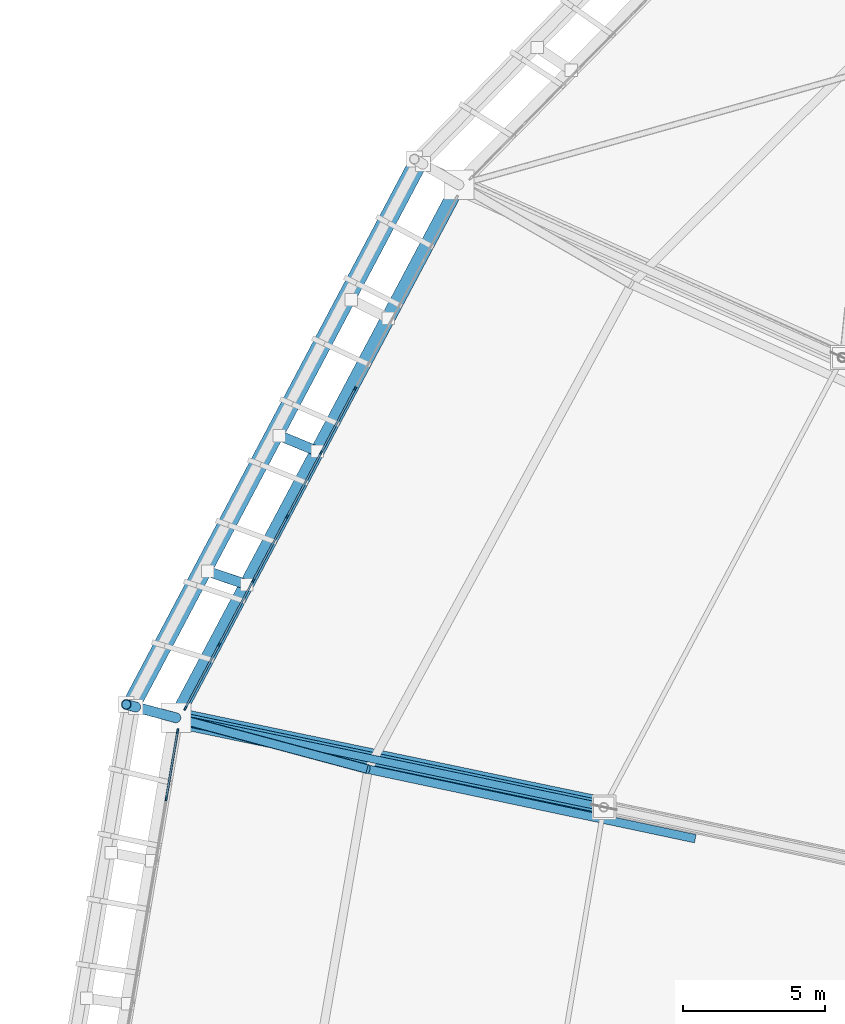
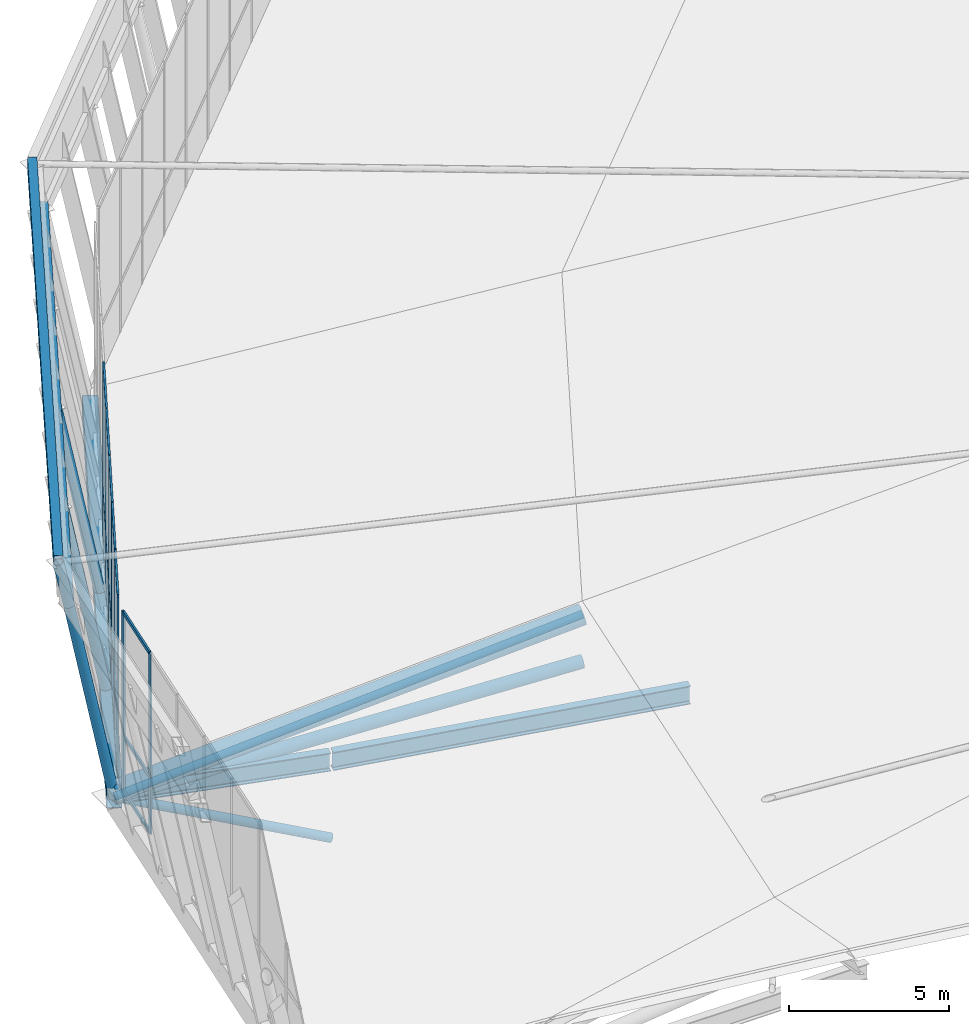
# One storey, part 26 of 115: 34 members, 5 beams, 2 elements without a shape of their own.
"""IFC4 building model written with IfcOpenShell, lengths in metres."""

from ifc_helpers import new_model, si_unit, direction, frame, origin, origin_2d, place, context, subcontext, project, spatial, rectangle, hollow_rectangle, hollow_circle, i_section, extrude, material, material_profile, profile_set, type_object, element, aggregate, save


model = new_model("IFC4")

# Units and contexts
model_context = context("Model", 3, precision=1e-05, world=origin(), true_north=direction((0.0, 1.0)))
body_context = subcontext(model_context, "Body", "Model", "MODEL_VIEW")
ifc_project = project(units=[si_unit("LENGTHUNIT", "METRE"), si_unit("AREAUNIT", "SQUARE_METRE"), si_unit("VOLUMEUNIT", "CUBIC_METRE"), si_unit("PLANEANGLEUNIT", "RADIAN"), si_unit("MASSUNIT", "GRAM", prefix="KILO")], contexts=[model_context])

# Site, building, storey
site_placement = place(None, origin())
site = spatial("IfcSite", under=ifc_project, at=site_placement, CompositionType="ELEMENT")
building_placement = place(site_placement, origin())
building = spatial("IfcBuilding", under=site, at=building_placement, Name="Zlatoyarsky Gate Stadium", CompositionType="ELEMENT")
storey_placement = place(building_placement, frame((0.0, 0.0, 31.800048828125)))
storey = spatial("IfcBuildingStorey", under=building, at=storey_placement, Name="RF", CompositionType="ELEMENT", Elevation=31.800048828125)

# Curtain wall, members
ifc_material_1 = material(Name="Thermally broken anodised aluminium curtain wall", Category="aluminium")
curtain_wall_type = type_object("IfcCurtainWallType", Name="UNITISED SKYBOX RING GLAZING L05", PredefinedType="USERDEFINED", material=ifc_material_1)
curtain_wall_1_placement = place(storey_placement, origin())
curtain_wall_1 = element("IfcCurtainWall", 1, at=curtain_wall_1_placement, inside=storey, type_object=curtain_wall_type, Name="Curtain wall CW-RF-10", ObjectType="UNITISED GLAZING", PredefinedType="USERDEFINED")
ifc_material_2 = material(Name="Anodised aluminium 6063-T6", Category="aluminium")
ifc_material_profile_1 = material_profile(ifc_material_2, rectangle(XDim=0.06494140625, YDim=0.159912109375, at=origin_2d()), Name="ALU 65X160")
ifc_profile_set_1 = profile_set([ifc_material_profile_1], Name="Anodised aluminium 6063-T6")
member_type_1 = type_object("IfcMemberType", Name="ALUMINIUM MULLION 65X160", PredefinedType="MULLION", material=ifc_profile_set_1)
member_1_placement = place(storey_placement, frame((20.705810546875, 111.81103515625, 0.0), z_axis=(0.0, 0.0, 1.0), x_axis=(0.883130898599, -0.469126652345, 0.0)))
member_1 = element("IfcMember", 2, at=member_1_placement, type_object=member_type_1, Name="CW-UG5 mullion 4", PredefinedType="MULLION", context=body_context, shape_type="SweptSolid", body=[
    extrude(rectangle(XDim=0.06494140625, YDim=0.159912109375, at=origin_2d()), origin(), (0.0, 0.0, 1.0), 6.89990234375),
])
member_2_placement = place(storey_placement, frame((19.50537109375, 109.55126953125, 0.0), z_axis=(0.0, 0.0, 1.0), x_axis=(0.883130898599, -0.469126652345, 0.0)))
member_2 = element("IfcMember", 3, at=member_2_placement, type_object=member_type_1, Name="CW-UG5 mullion 5", PredefinedType="MULLION", context=body_context, shape_type="SweptSolid", body=[
    extrude(rectangle(XDim=0.06494140625, YDim=0.159912109375, at=origin_2d()), origin(), (0.0, 0.0, 1.0), 6.89990234375),
])
member_3_placement = place(storey_placement, frame((18.304931640625, 107.29150390625, 0.0), z_axis=(0.0, 0.0, 1.0), x_axis=(0.883130898599, -0.469126652345, 0.0)))
member_3 = element("IfcMember", 4, at=member_3_placement, type_object=member_type_1, Name="CW-UG5 mullion 6", PredefinedType="MULLION", context=body_context, shape_type="SweptSolid", body=[
    extrude(rectangle(XDim=0.06494140625, YDim=0.159912109375, at=origin_2d()), origin(), (0.0, 0.0, 1.0), 6.89990234375),
])
member_4_placement = place(storey_placement, frame((17.1044921875, 105.03173828125, 0.0), z_axis=(0.0, 0.0, 1.0), x_axis=(0.883130898599, -0.469126652345, 0.0)))
member_4 = element("IfcMember", 5, at=member_4_placement, type_object=member_type_1, Name="CW-UG5 mullion 7", PredefinedType="MULLION", context=body_context, shape_type="SweptSolid", body=[
    extrude(rectangle(XDim=0.06494140625, YDim=0.159912109375, at=origin_2d()), origin(), (0.0, 0.0, 1.0), 6.89990234375),
])
member_5_placement = place(storey_placement, frame((15.904052734375, 102.77197265625, 0.0), z_axis=(0.0, 0.0, 1.0), x_axis=(0.883130898599, -0.469126652345, 0.0)))
member_5 = element("IfcMember", 6, at=member_5_placement, type_object=member_type_1, Name="CW-UG5 mullion 8", PredefinedType="MULLION", context=body_context, shape_type="SweptSolid", body=[
    extrude(rectangle(XDim=0.06494140625, YDim=0.159912109375, at=origin_2d()), origin(), (0.0, 0.0, 1.0), 6.89990234375),
])
member_6_placement = place(storey_placement, frame((14.718994140625, 100.540771484375, 0.0), z_axis=(0.0, 0.0, 1.0), x_axis=(0.883130898599, -0.469126652345, 0.0)))
member_6 = element("IfcMember", 7, at=member_6_placement, type_object=member_type_1, Name="CW-UG5 mullion 9", PredefinedType="MULLION", context=body_context, shape_type="SweptSolid", body=[
    extrude(rectangle(XDim=0.06494140625, YDim=0.159912109375, at=origin_2d()), origin(), (0.0, 0.0, 1.0), 6.89990234375),
])

curtain_wall_2_placement = place(storey_placement, origin())
curtain_wall_2 = element("IfcCurtainWall", 8, at=curtain_wall_2_placement, inside=storey, type_object=curtain_wall_type, Name="Curtain wall CW-RF-11", ObjectType="UNITISED GLAZING", PredefinedType="USERDEFINED")
member_7_placement = place(storey_placement, frame((14.444091796875, 99.732421875, 0.0), z_axis=(0.0, 0.0, 1.0), x_axis=(0.986044463486, -0.166482179311, 0.0)))
member_7 = element("IfcMember", 9, at=member_7_placement, type_object=member_type_1, Name="CW-UG5 mullion 1", PredefinedType="MULLION", context=body_context, shape_type="SweptSolid", body=[
    extrude(rectangle(XDim=0.06494140625, YDim=0.159912109375, at=origin_2d()), origin(), (0.0, 0.0, 1.0), 6.89990234375),
])
member_8_placement = place(storey_placement, frame((14.04052734375, 97.34326171875, 0.0), z_axis=(0.0, 0.0, 1.0), x_axis=(0.986044463486, -0.166482179311, 0.0)))
member_8 = element("IfcMember", 10, at=member_8_placement, type_object=member_type_1, Name="CW-UG5 mullion 2", PredefinedType="MULLION", context=body_context, shape_type="SweptSolid", body=[
    extrude(rectangle(XDim=0.06494140625, YDim=0.159912109375, at=origin_2d()), origin(), (0.0, 0.0, 1.0), 6.89990234375),
])

# Member
ifc_material_profile_2 = material_profile(ifc_material_2, rectangle(XDim=0.06494140625, YDim=0.139892578125, at=origin_2d()), Name="ALU 65X140")
ifc_profile_set_2 = profile_set([ifc_material_profile_2], Name="Anodised aluminium 6063-T6")
member_type_2 = type_object("IfcMemberType", Name="ALUMINIUM TRANSOM 65X140", PredefinedType="USERDEFINED", material=ifc_profile_set_2)
member_9_placement = place(storey_placement, frame((20.690673828125, 111.782470703125, 0.032470703125), z_axis=(-0.469124208683, -0.883132196688, 0.0), x_axis=(0.883132196688, -0.469124208683, 0.0)))
member_9 = element("IfcMember", 11, at=member_9_placement, type_object=member_type_2, Name="CW-UG5 transom 4.1", ObjectType="TRANSOM", PredefinedType="USERDEFINED", context=body_context, shape_type="SweptSolid", body=[
    extrude(rectangle(XDim=0.06494140625, YDim=0.139892578125, at=origin_2d()), origin(), (0.0, 0.0, 1.0), 2.493896484375),
])

member_10_placement = place(storey_placement, frame((20.690673828125, 111.782470703125, 2.14990234375), z_axis=(-0.469124208683, -0.883132196688, 0.0), x_axis=(0.883132196688, -0.469124208683, 0.0)))
member_10 = element("IfcMember", 12, at=member_10_placement, type_object=member_type_2, Name="CW-UG5 transom 4.2", ObjectType="TRANSOM", PredefinedType="USERDEFINED", context=body_context, shape_type="SweptSolid", body=[
    extrude(rectangle(XDim=0.06494140625, YDim=0.139892578125, at=origin_2d()), origin(), (0.0, 0.0, 1.0), 2.493896484375),
])

member_11_placement = place(storey_placement, frame((20.690673828125, 111.782470703125, 6.867431640625), z_axis=(-0.469124208683, -0.883132196688, 0.0), x_axis=(0.883132196688, -0.469124208683, 0.0)))
member_11 = element("IfcMember", 13, at=member_11_placement, type_object=member_type_2, Name="CW-UG5 transom 4.3", ObjectType="TRANSOM", PredefinedType="USERDEFINED", context=body_context, shape_type="SweptSolid", body=[
    extrude(rectangle(XDim=0.06494140625, YDim=0.139892578125, at=origin_2d()), origin(), (0.0, 0.0, 1.0), 2.493896484375),
])

member_12_placement = place(storey_placement, frame((19.490234375, 109.522705078125, 0.032470703125), z_axis=(-0.469124208683, -0.883132196688, 0.0), x_axis=(0.883132196688, -0.469124208683, 0.0)))
member_12 = element("IfcMember", 14, at=member_12_placement, type_object=member_type_2, Name="CW-UG5 transom 5.1", ObjectType="TRANSOM", PredefinedType="USERDEFINED", context=body_context, shape_type="SweptSolid", body=[
    extrude(rectangle(XDim=0.06494140625, YDim=0.139892578125, at=origin_2d()), origin(), (0.0, 0.0, 1.0), 2.493896484375),
])

member_13_placement = place(storey_placement, frame((19.490234375, 109.522705078125, 2.14990234375), z_axis=(-0.469124208683, -0.883132196688, 0.0), x_axis=(0.883132196688, -0.469124208683, 0.0)))
member_13 = element("IfcMember", 15, at=member_13_placement, type_object=member_type_2, Name="CW-UG5 transom 5.2", ObjectType="TRANSOM", PredefinedType="USERDEFINED", context=body_context, shape_type="SweptSolid", body=[
    extrude(rectangle(XDim=0.06494140625, YDim=0.139892578125, at=origin_2d()), origin(), (0.0, 0.0, 1.0), 2.493896484375),
])

member_14_placement = place(storey_placement, frame((19.490234375, 109.522705078125, 6.867431640625), z_axis=(-0.469124208683, -0.883132196688, 0.0), x_axis=(0.883132196688, -0.469124208683, 0.0)))
member_14 = element("IfcMember", 16, at=member_14_placement, type_object=member_type_2, Name="CW-UG5 transom 5.3", ObjectType="TRANSOM", PredefinedType="USERDEFINED", context=body_context, shape_type="SweptSolid", body=[
    extrude(rectangle(XDim=0.06494140625, YDim=0.139892578125, at=origin_2d()), origin(), (0.0, 0.0, 1.0), 2.493896484375),
])

member_15_placement = place(storey_placement, frame((18.289794921875, 107.2626953125, 0.032470703125), z_axis=(-0.469124208683, -0.883132196688, 0.0), x_axis=(0.883132196688, -0.469124208683, 0.0)))
member_15 = element("IfcMember", 17, at=member_15_placement, type_object=member_type_2, Name="CW-UG5 transom 6.1", ObjectType="TRANSOM", PredefinedType="USERDEFINED", context=body_context, shape_type="SweptSolid", body=[
    extrude(rectangle(XDim=0.06494140625, YDim=0.139892578125, at=origin_2d()), origin(), (0.0, 0.0, 1.0), 2.493896484375),
])

member_16_placement = place(storey_placement, frame((18.289794921875, 107.2626953125, 2.14990234375), z_axis=(-0.469124208683, -0.883132196688, 0.0), x_axis=(0.883132196688, -0.469124208683, 0.0)))
member_16 = element("IfcMember", 18, at=member_16_placement, type_object=member_type_2, Name="CW-UG5 transom 6.2", ObjectType="TRANSOM", PredefinedType="USERDEFINED", context=body_context, shape_type="SweptSolid", body=[
    extrude(rectangle(XDim=0.06494140625, YDim=0.139892578125, at=origin_2d()), origin(), (0.0, 0.0, 1.0), 2.493896484375),
])

member_17_placement = place(storey_placement, frame((18.289794921875, 107.2626953125, 6.867431640625), z_axis=(-0.469124208683, -0.883132196688, 0.0), x_axis=(0.883132196688, -0.469124208683, 0.0)))
member_17 = element("IfcMember", 19, at=member_17_placement, type_object=member_type_2, Name="CW-UG5 transom 6.3", ObjectType="TRANSOM", PredefinedType="USERDEFINED", context=body_context, shape_type="SweptSolid", body=[
    extrude(rectangle(XDim=0.06494140625, YDim=0.139892578125, at=origin_2d()), origin(), (0.0, 0.0, 1.0), 2.493896484375),
])

member_18_placement = place(storey_placement, frame((17.08935546875, 105.0029296875, 0.032470703125), z_axis=(-0.469124208683, -0.883132196688, 0.0), x_axis=(0.883132196688, -0.469124208683, 0.0)))
member_18 = element("IfcMember", 20, at=member_18_placement, type_object=member_type_2, Name="CW-UG5 transom 7.1", ObjectType="TRANSOM", PredefinedType="USERDEFINED", context=body_context, shape_type="SweptSolid", body=[
    extrude(rectangle(XDim=0.06494140625, YDim=0.139892578125, at=origin_2d()), origin(), (0.0, 0.0, 1.0), 2.493896484375),
])

member_19_placement = place(storey_placement, frame((17.08935546875, 105.0029296875, 2.14990234375), z_axis=(-0.469124208683, -0.883132196688, 0.0), x_axis=(0.883132196688, -0.469124208683, 0.0)))
member_19 = element("IfcMember", 21, at=member_19_placement, type_object=member_type_2, Name="CW-UG5 transom 7.2", ObjectType="TRANSOM", PredefinedType="USERDEFINED", context=body_context, shape_type="SweptSolid", body=[
    extrude(rectangle(XDim=0.06494140625, YDim=0.139892578125, at=origin_2d()), origin(), (0.0, 0.0, 1.0), 2.493896484375),
])

member_20_placement = place(storey_placement, frame((17.08935546875, 105.0029296875, 6.867431640625), z_axis=(-0.469124208683, -0.883132196688, 0.0), x_axis=(0.883132196688, -0.469124208683, 0.0)))
member_20 = element("IfcMember", 22, at=member_20_placement, type_object=member_type_2, Name="CW-UG5 transom 7.3", ObjectType="TRANSOM", PredefinedType="USERDEFINED", context=body_context, shape_type="SweptSolid", body=[
    extrude(rectangle(XDim=0.06494140625, YDim=0.139892578125, at=origin_2d()), origin(), (0.0, 0.0, 1.0), 2.493896484375),
])

member_21_placement = place(storey_placement, frame((15.888916015625, 102.7431640625, 0.032470703125), z_axis=(-0.469176983035, -0.883104160669, 0.0), x_axis=(0.883104160669, -0.469176983035, 0.0)))
member_21 = element("IfcMember", 23, at=member_21_placement, type_object=member_type_2, Name="CW-UG5 transom 8.1", ObjectType="TRANSOM", PredefinedType="USERDEFINED", context=body_context, shape_type="SweptSolid", body=[
    extrude(rectangle(XDim=0.06494140625, YDim=0.139892578125, at=origin_2d()), origin(), (0.0, 0.0, 1.0), 2.461181640625),
])

member_22_placement = place(storey_placement, frame((15.888916015625, 102.7431640625, 2.14990234375), z_axis=(-0.469176983035, -0.883104160669, 0.0), x_axis=(0.883104160669, -0.469176983035, 0.0)))
member_22 = element("IfcMember", 24, at=member_22_placement, type_object=member_type_2, Name="CW-UG5 transom 8.2", ObjectType="TRANSOM", PredefinedType="USERDEFINED", context=body_context, shape_type="SweptSolid", body=[
    extrude(rectangle(XDim=0.06494140625, YDim=0.139892578125, at=origin_2d()), origin(), (0.0, 0.0, 1.0), 2.461181640625),
])

member_23_placement = place(storey_placement, frame((15.888916015625, 102.7431640625, 6.867431640625), z_axis=(-0.469176983035, -0.883104160669, 0.0), x_axis=(0.883104160669, -0.469176983035, 0.0)))
member_23 = element("IfcMember", 25, at=member_23_placement, type_object=member_type_2, Name="CW-UG5 transom 8.3", ObjectType="TRANSOM", PredefinedType="USERDEFINED", context=body_context, shape_type="SweptSolid", body=[
    extrude(rectangle(XDim=0.06494140625, YDim=0.139892578125, at=origin_2d()), origin(), (0.0, 0.0, 1.0), 2.461181640625),
])

aggregate(curtain_wall_1, [member_1, member_2, member_3, member_4, member_5, member_6, member_9, member_10, member_11, member_12, member_13, member_14, member_15, member_16, member_17, member_18, member_19, member_20, member_21, member_22, member_23])

member_24_placement = place(storey_placement, frame((14.4384765625, 99.7001953125, 0.032470703125), z_axis=(-0.16649746377, -0.986041882761, 0.0), x_axis=(0.986041882761, -0.16649746377, 0.0)))
member_24 = element("IfcMember", 26, at=member_24_placement, type_object=member_type_2, Name="CW-UG5 transom 1.1", ObjectType="TRANSOM", PredefinedType="USERDEFINED", context=body_context, shape_type="SweptSolid", body=[
    extrude(rectangle(XDim=0.06494140625, YDim=0.139892578125, at=origin_2d()), origin(), (0.0, 0.0, 1.0), 2.35791015625),
])

member_25_placement = place(storey_placement, frame((14.4384765625, 99.7001953125, 2.14990234375), z_axis=(-0.16649746377, -0.986041882761, 0.0), x_axis=(0.986041882761, -0.16649746377, 0.0)))
member_25 = element("IfcMember", 27, at=member_25_placement, type_object=member_type_2, Name="CW-UG5 transom 1.2", ObjectType="TRANSOM", PredefinedType="USERDEFINED", context=body_context, shape_type="SweptSolid", body=[
    extrude(rectangle(XDim=0.06494140625, YDim=0.139892578125, at=origin_2d()), origin(), (0.0, 0.0, 1.0), 2.35791015625),
])

member_26_placement = place(storey_placement, frame((14.4384765625, 99.7001953125, 6.867431640625), z_axis=(-0.16649746377, -0.986041882761, 0.0), x_axis=(0.986041882761, -0.16649746377, 0.0)))
member_26 = element("IfcMember", 28, at=member_26_placement, type_object=member_type_2, Name="CW-UG5 transom 1.3", ObjectType="TRANSOM", PredefinedType="USERDEFINED", context=body_context, shape_type="SweptSolid", body=[
    extrude(rectangle(XDim=0.06494140625, YDim=0.139892578125, at=origin_2d()), origin(), (0.0, 0.0, 1.0), 2.35791015625),
])

aggregate(curtain_wall_2, [member_7, member_8, member_24, member_25, member_26])

# Members
ifc_material_3 = material(Name="Steel S355", Category="steel")
ifc_material_profile_3 = material_profile(ifc_material_3, hollow_circle(Radius=0.228515625, WallThickness=0.02490234375, at=origin_2d()), Name="CHS 457X25")
ifc_profile_set_3 = profile_set([ifc_material_profile_3], Name="Steel S355")
member_type_3 = type_object("IfcMemberType", Name="STEEL ARCH BOTTOM CHORD CHS 457X25", PredefinedType="CHORD", material=ifc_profile_set_3)
member_27_placement = place(storey_placement, frame((14.380859375, 100.195068359375, -0.449951171875), z_axis=(0.972261655256, -0.203217530237, 0.115801162009), x_axis=(0.2045939534, 0.978846930951, 0.0)))
element("IfcMember", 29, at=member_27_placement, inside=storey, type_object=member_type_3, Name="Radial truss R12 bottom chord 1", PredefinedType="CHORD", context=body_context, shape_type="SweptSolid", body=[
    extrude(hollow_circle(Radius=0.228515625, WallThickness=0.02490234375, at=origin_2d()), origin(), (0.0, 0.0, 1.0), 15.542236328125),
])
ifc_material_profile_4 = material_profile(ifc_material_3, hollow_circle(Radius=0.35546875, WallThickness=0.031982421875, at=origin_2d()), Name="CHS 711X32")
ifc_profile_set_4 = profile_set([ifc_material_profile_4], Name="Steel S355")
member_type_4 = type_object("IfcMemberType", Name="STEEL ARCH TOP CHORD CHS 711X32", PredefinedType="CHORD", material=ifc_profile_set_4)
member_28_placement = place(storey_placement, frame((14.380859375, 100.195068359375, -0.25), z_axis=(0.955938348937, -0.199805709996, 0.215080336817), x_axis=(0.2045939534, 0.978846930951, 0.0)))
element("IfcMember", 30, at=member_28_placement, inside=storey, type_object=member_type_4, Name="Radial truss R12 top chord 1", PredefinedType="CHORD", context=body_context, shape_type="SweptSolid", body=[
    extrude(hollow_circle(Radius=0.35546875, WallThickness=0.031982421875, at=origin_2d()), origin(), (0.0, 0.0, 1.0), 15.8076171875),
])
ifc_material_profile_5 = material_profile(ifc_material_3, hollow_circle(Radius=0.177734375, WallThickness=0.02001953125, at=origin_2d()), Name="CHS 355.6X20")
ifc_profile_set_5 = profile_set([ifc_material_profile_5], Name="Steel S355")
member_type_5 = type_object("IfcMemberType", Name="STEEL LEANING RIB RING STRUT CHS 355.6X20", PredefinedType="STRUT", material=ifc_profile_set_5)
member_29_placement = place(storey_placement, frame((19.377197265625, 109.6044921875, -0.449951171875), z_axis=(-0.173752651078, 0.071936815772, 0.982158393936), x_axis=(-0.382529611327, -0.92394323227, 0.0)))
element("IfcMember", 31, at=member_29_placement, inside=storey, type_object=member_type_5, Name="Outward-leaning bowl louvre fin rib RF 10-2", PredefinedType="STRUT", context=body_context, shape_type="SweptSolid", body=[
    extrude(hollow_circle(Radius=0.177734375, WallThickness=0.02001953125, at=origin_2d()), origin(), (0.0, 0.0, 1.0), 7.73779296875),
])
member_30_placement = place(storey_placement, frame((16.87890625, 104.899658203125, -0.449951171875), z_axis=(-0.178471233777, 0.060542035994, 0.982080791275), x_axis=(-0.321245410265, -0.946995980131, 0.0)))
element("IfcMember", 32, at=member_30_placement, inside=storey, type_object=member_type_5, Name="Outward-leaning bowl louvre fin rib RF 10-3", PredefinedType="STRUT", context=body_context, shape_type="SweptSolid", body=[
    extrude(hollow_circle(Radius=0.177734375, WallThickness=0.02001953125, at=origin_2d()), origin(), (0.0, 0.0, 1.0), 7.738525390625),
])
member_31_placement = place(storey_placement, frame((14.380859375, 100.195068359375, -0.449951171875), z_axis=(-0.183161786011, 0.049078653183, 0.981856937617), x_axis=(-0.258821999954, -0.965925034534, 0.0)))
element("IfcMember", 33, at=member_31_placement, inside=storey, type_object=member_type_5, Name="Outward-leaning crown fascia lower post 11", PredefinedType="STRUT", context=body_context, shape_type="SweptSolid", body=[
    extrude(hollow_circle(Radius=0.177734375, WallThickness=0.02001953125, at=origin_2d()), origin(), (0.0, 0.0, 1.0), 7.740234375),
])
member_32_placement = place(storey_placement, frame((12.963134765625, 100.574951171875, 7.14990234375), z_axis=(-0.194145508575, 0.052053505922, 0.979590707398), x_axis=(-0.258969313954, -0.965885549343, 0.0)))
element("IfcMember", 34, at=member_32_placement, inside=storey, type_object=member_type_5, Name="Outward-leaning crown fascia upper post 11", PredefinedType="STRUT", context=body_context, shape_type="SweptSolid", body=[
    extrude(hollow_circle(Radius=0.177734375, WallThickness=0.02001953125, at=origin_2d()), origin(), (0.0, 0.0, 1.0), 1.7353515625),
])

# Beams
ifc_material_profile_6 = material_profile(ifc_material_3, hollow_rectangle(XDim=0.300048828125, YDim=0.5, WallThickness=0.02001953125, at=origin_2d()), Name="RHS 500X300X20")
ifc_profile_set_6 = profile_set([ifc_material_profile_6], Name="Steel S355")
beam_type_1 = type_object("IfcBeamType", Name="STEEL LOUVRE CARRIER SPANDREL RHS 500X300X20", PredefinedType="SPANDREL", material=ifc_profile_set_6)
beam_1_placement = place(storey_placement, frame((23.1025390625, 119.74755859375, 7.14990234375), z_axis=(-0.467498743631, -0.88399373567, 0.0), x_axis=(0.88399373567, -0.467498743631, 0.0)))
element("IfcBeam", 35, at=beam_1_placement, inside=storey, type_object=beam_type_1, Name="Crown eaves fascia bottom carrier spandrel 10", PredefinedType="SPANDREL", context=body_context, shape_type="SweptSolid", body=[
    extrude(hollow_rectangle(XDim=0.300048828125, YDim=0.5, WallThickness=0.02001953125, at=origin_2d()), origin(), (0.0, 0.0, 1.0), 21.688720703125),
])
beam_2_placement = place(storey_placement, frame((22.80029296875, 119.922119140625, 8.849853515625), z_axis=(-0.467144347862, -0.884181066445, 0.0), x_axis=(0.884181066445, -0.467144347862, 0.0)))
element("IfcBeam", 36, at=beam_2_placement, inside=storey, type_object=beam_type_1, Name="Crown fascia top carrier spandrel 10", PredefinedType="SPANDREL", context=body_context, shape_type="SweptSolid", body=[
    extrude(hollow_rectangle(XDim=0.300048828125, YDim=0.5, WallThickness=0.02001953125, at=origin_2d()), origin(), (0.0, 0.0, 1.0), 21.779296875),
])
ifc_material_profile_7 = material_profile(ifc_material_3, hollow_rectangle(XDim=0.5, YDim=0.89990234375, WallThickness=0.028076171875, at=origin_2d()), Name="RHS 900X500X28")
ifc_profile_set_7 = profile_set([ifc_material_profile_7], Name="Steel S355")
beam_type_2 = type_object("IfcBeamType", Name="STEEL OUTER COMPRESSION RING BEAM RHS 900X500X28", PredefinedType="USERDEFINED", material=ifc_profile_set_7)
beam_3_placement = place(storey_placement, frame((24.37353515625, 119.013916015625, -0.449951171875), z_axis=(-0.468978170829, -0.883209757241, 0.0), x_axis=(0.883209757241, -0.468978170829, 0.0)))
element("IfcBeam", 37, at=beam_3_placement, inside=storey, type_object=beam_type_2, Name="Outer compression ring beam 10", ObjectType="RING BEAM", PredefinedType="USERDEFINED", context=body_context, shape_type="SweptSolid", body=[
    extrude(hollow_rectangle(XDim=0.5, YDim=0.89990234375, WallThickness=0.028076171875, at=origin_2d()), origin(), (0.0, 0.0, 1.0), 21.307373046875),
])
ifc_material_profile_8 = material_profile(ifc_material_3, i_section(OverallWidth=0.300048828125, OverallDepth=0.699951171875, WebThickness=0.01708984375, FlangeThickness=0.031982421875, FilletRadius=0.027099609375, at=origin_2d()), Name="HEB 700")
ifc_profile_set_8 = profile_set([ifc_material_profile_8], Name="Steel S355")
beam_type_3 = type_object("IfcBeamType", Name="STEEL ROOF RING GIRDER HEB 700", PredefinedType="BEAM", material=ifc_profile_set_8)
beam_4_placement = place(storey_placement, frame((32.720947265625, 95.92578125, -0.300048828125), z_axis=(-0.978234125102, 0.207504208355, 0.0), x_axis=(-0.207504208355, -0.978234125102, 0.0)))
element("IfcBeam", 38, at=beam_4_placement, inside=storey, type_object=beam_type_3, Name="RF roof tie girder BM-RF-RBC-11", PredefinedType="BEAM", context=body_context, shape_type="SweptSolid", body=[
    extrude(i_section(OverallWidth=0.300048828125, OverallDepth=0.699951171875, WebThickness=0.01708984375, FlangeThickness=0.031982421875, FilletRadius=0.027099609375, at=origin_2d()), origin(), (0.0, 0.0, 1.0), 11.76904296875),
])
beam_5_placement = place(storey_placement, frame((21.13037109375, 98.38671875, -0.300048828125), z_axis=(-0.965932144548, 0.258795463889, 0.0), x_axis=(-0.258795463889, -0.965932144548, 0.0)))
element("IfcBeam", 39, at=beam_5_placement, inside=storey, type_object=beam_type_3, Name="RF roof tie girder BM-RF-COUT-11", PredefinedType="BEAM", context=body_context, shape_type="SweptSolid", body=[
    extrude(i_section(OverallWidth=0.300048828125, OverallDepth=0.699951171875, WebThickness=0.01708984375, FlangeThickness=0.031982421875, FilletRadius=0.027099609375, at=origin_2d()), origin(), (0.0, 0.0, 1.0), 6.987548828125),
])

# Members
ifc_material_profile_9 = material_profile(ifc_material_3, hollow_circle(Radius=0.136474609375, WallThickness=0.01611328125, at=origin_2d()), Name="CHS 273X16")
ifc_profile_set_9 = profile_set([ifc_material_profile_9], Name="Steel S355")
member_type_6 = type_object("IfcMemberType", Name="STEEL ROOF TRUSS DIAGONAL CHS 273X16", PredefinedType="BRACE", material=ifc_profile_set_9)
member_33_placement = place(storey_placement, frame((14.380859375, 100.195068359375, -0.449951171875), z_axis=(0.953272377276, -0.199248481215, 0.227094291993), x_axis=(0.2045939534, 0.978846930951, 0.0)))
element("IfcMember", 40, at=member_33_placement, inside=storey, type_object=member_type_6, Name="Radial truss R12 web diagonal 1", PredefinedType="BRACE", context=body_context, shape_type="SweptSolid", body=[
    extrude(hollow_circle(Radius=0.136474609375, WallThickness=0.01611328125, at=origin_2d()), origin(), (0.0, 0.0, 1.0), 15.851806640625),
])
ifc_material_profile_10 = material_profile(ifc_material_3, hollow_circle(Radius=0.161865234375, WallThickness=0.01611328125, at=origin_2d()), Name="CHS 323.9X16")
ifc_profile_set_10 = profile_set([ifc_material_profile_10], Name="Steel S355")
member_type_7 = type_object("IfcMemberType", Name="STEEL TRUSS WEB STRUT CHS 323.9X16", PredefinedType="STRUT", material=ifc_profile_set_10)
member_34_placement = place(storey_placement, frame((21.1689453125, 98.376220703125, -3.300048828125), z_axis=(-0.895113302245, 0.239842975893, 0.375829114171), x_axis=(-0.258817121486, -0.965926341718, 0.0)))
element("IfcMember", 41, at=member_34_placement, inside=storey, type_object=member_type_7, Name="Arch heel prop 11", PredefinedType="STRUT", context=body_context, shape_type="SweptSolid", body=[
    extrude(hollow_circle(Radius=0.161865234375, WallThickness=0.01611328125, at=origin_2d()), origin(), (0.0, 0.0, 1.0), 7.58349609375),
])

save(model, "model.ifc")
